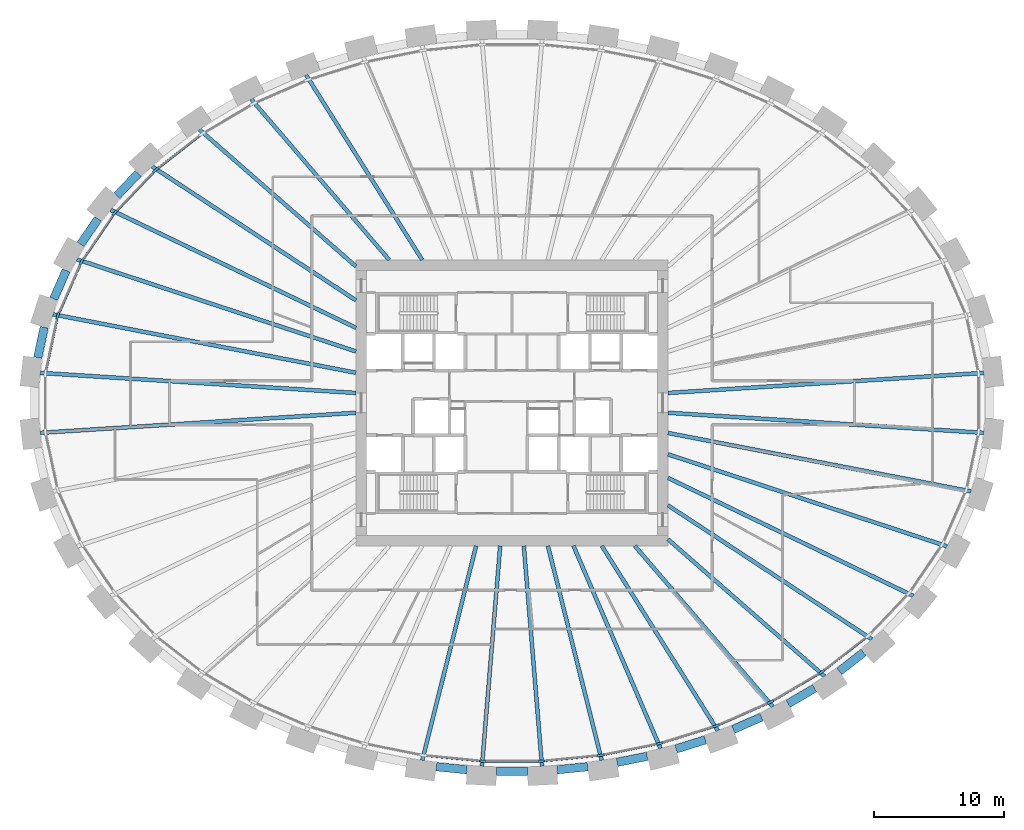
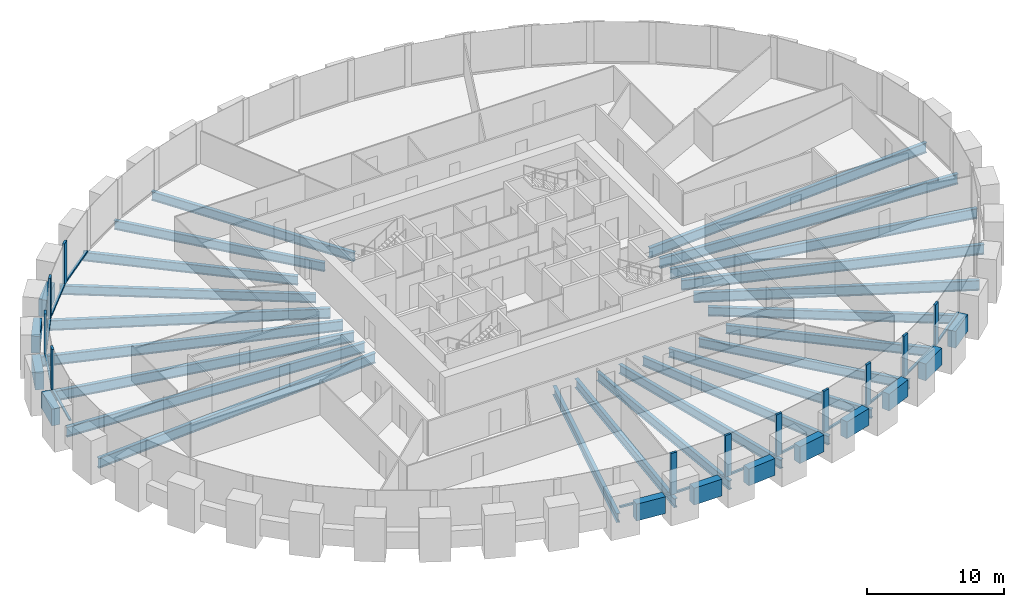
# One storey, part 2 of 10: 35 beams, 24 members, 1 element without a shape of its own.
"""IFC4 building model written with IfcOpenShell, lengths in metres."""

from ifc_helpers import new_model, si_unit, direction, frame, origin, origin_2d, place, context, subcontext, project, spatial, rectangle, i_section, extrude, source, transform, mapped, material, material_profile, profile_set, type_object, element, aggregate, save


model = new_model("IFC4")

# Units and contexts
model_context = context("Model", 3, precision=1e-05, world=origin(), true_north=direction((0.0, 1.0)))
body_context = subcontext(model_context, "Body", "Model", "MODEL_VIEW")
ifc_project = project(units=[si_unit("LENGTHUNIT", "METRE"), si_unit("AREAUNIT", "SQUARE_METRE"), si_unit("VOLUMEUNIT", "CUBIC_METRE"), si_unit("PLANEANGLEUNIT", "RADIAN"), si_unit("MASSUNIT", "GRAM", prefix="KILO")], contexts=[model_context])

# Site, building, storey
site_placement = place(None, origin())
site = spatial("IfcSite", under=ifc_project, at=site_placement, CompositionType="ELEMENT")
building_placement = place(site_placement, origin())
building = spatial("IfcBuilding", under=site, at=building_placement, Name="Embergate Tower", CompositionType="ELEMENT")
storey_placement = place(building_placement, frame((0.0, 0.0, 179.39990234375)))
storey = spatial("IfcBuildingStorey", under=building, at=storey_placement, Name="L40", CompositionType="ELEMENT", Elevation=179.39990234375)

# Beams
ifc_material_1 = material(Name="Concrete C70", Category="concrete")
ifc_material_profile_1 = material_profile(ifc_material_1, rectangle(XDim=0.64990234375, YDim=1.5, at=origin_2d()), Name="RC 650x1500")
ifc_profile_set_1 = profile_set([ifc_material_profile_1], Name="Concrete C70")
beam_type_1 = type_object("IfcBeamType", Name="Spandrel beam RC 650x1500 C70", PredefinedType="BEAM", material=ifc_profile_set_1)
shared_shape_1 = source(origin(), body_context, "Body", "SweptSolid", [
    extrude(rectangle(XDim=0.64990234375, YDim=1.5, at=origin_2d()), origin(), (0.0, 0.0, 1.0), 2.390625),
])
beam_1_placement = place(storey_placement, frame((-35.986083984375, 5.821044921875, 0.0), z_axis=(-0.210372893439, -0.977621217909, 0.0), x_axis=(0.977621217909, -0.210372893439, 0.0)))
element("IfcBeam", 1, at=beam_1_placement, inside=storey, type_object=beam_type_1, Name="SPN-L40-20", PredefinedType="BEAM", context=body_context, shape_type="MappedRepresentation", body=[
    mapped(shared_shape_1, transform((0.0, 0.0, 0.0))),
])
shared_shape_2 = source(origin(), body_context, "Body", "SweptSolid", [
    extrude(rectangle(XDim=0.64990234375, YDim=1.5, at=origin_2d()), origin(), (0.0, 0.0, 1.0), 2.383544921875),
])
beam_2_placement = place(storey_placement, frame((-34.302001953125, 10.18603515625, 0.0), z_axis=(-0.401495719711, -0.915860899402, 0.0), x_axis=(0.915860899402, -0.401495719711, 0.0)))
element("IfcBeam", 2, at=beam_2_placement, inside=storey, type_object=beam_type_1, Name="SPN-L40-19", PredefinedType="BEAM", context=body_context, shape_type="MappedRepresentation", body=[
    mapped(shared_shape_2, transform((0.0, 0.0, 0.0))),
])
shared_shape_3 = source(origin(), body_context, "Body", "SweptSolid", [
    extrude(rectangle(XDim=0.64990234375, YDim=1.5, at=origin_2d()), origin(), (0.0, 0.0, 1.0), 2.37744140625),
])
beam_3_placement = place(storey_placement, frame((-31.85107421875, 14.1650390625, 0.0), z_axis=(-0.562307212713, -0.826928411975, 0.0), x_axis=(0.826928411975, -0.562307212713, 0.0)))
element("IfcBeam", 3, at=beam_3_placement, inside=storey, type_object=beam_type_1, Name="SPN-L40-18", PredefinedType="BEAM", context=body_context, shape_type="MappedRepresentation", body=[
    mapped(shared_shape_3, transform((0.0, 0.0, 0.0))),
])
shared_shape_4 = source(origin(), body_context, "Body", "SweptSolid", [
    extrude(rectangle(XDim=0.64990234375, YDim=1.5, at=origin_2d()), origin(), (0.0, 0.0, 1.0), 2.370361328125),
])
beam_4_placement = place(storey_placement, frame((-28.7548828125, 17.656982421875, 0.0), z_axis=(-0.690277300847, -0.723544917704, 0.0), x_axis=(0.723544917704, -0.690277300847, 0.0)))
element("IfcBeam", 4, at=beam_4_placement, inside=storey, type_object=beam_type_1, Name="SPN-L40-17", PredefinedType="BEAM", context=body_context, shape_type="MappedRepresentation", body=[
    mapped(shared_shape_4, transform((0.0, 0.0, 0.0))),
])
shared_shape_5 = source(origin(), body_context, "Body", "SweptSolid", [
    extrude(rectangle(XDim=0.64990234375, YDim=1.5, at=origin_2d()), origin(), (0.0, 0.0, 1.0), 2.367431640625),
])
beam_5_placement = place(storey_placement, frame((25.18408203125, -20.657958984375, 0.0), z_axis=(0.788179129097, 0.615445903761, 0.0), x_axis=(-0.615445903761, 0.788179129097, 0.0)))
element("IfcBeam", 5, at=beam_5_placement, inside=storey, type_object=beam_type_1, Name="SPN-L40-38", PredefinedType="BEAM", context=body_context, shape_type="MappedRepresentation", body=[
    mapped(shared_shape_5, transform((0.0, 0.0, 0.0))),
])
shared_shape_6 = source(origin(), body_context, "Body", "SweptSolid", [
    extrude(rectangle(XDim=0.64990234375, YDim=1.5, at=origin_2d()), origin(), (0.0, 0.0, 1.0), 2.36181640625),
])
beam_6_placement = place(storey_placement, frame((21.24609375, -23.14794921875, 0.0), z_axis=(0.86203783714, 0.506843927989, 0.0), x_axis=(-0.506843927989, 0.86203783714, 0.0)))
element("IfcBeam", 6, at=beam_6_placement, inside=storey, type_object=beam_type_1, Name="SPN-L40-37", PredefinedType="BEAM", context=body_context, shape_type="MappedRepresentation", body=[
    mapped(shared_shape_6, transform((0.0, 0.0, 0.0))),
])
shared_shape_7 = source(origin(), body_context, "Body", "SweptSolid", [
    extrude(rectangle(XDim=0.64990234375, YDim=1.5, at=origin_2d()), origin(), (0.0, 0.0, 1.0), 2.357177734375),
])
beam_7_placement = place(storey_placement, frame((17.028076171875, -25.118896484375, 0.0), z_axis=(0.916330780136, 0.400422153951, 0.0), x_axis=(-0.400422153951, 0.916330780136, 0.0)))
element("IfcBeam", 7, at=beam_7_placement, inside=storey, type_object=beam_type_1, Name="SPN-L40-36", PredefinedType="BEAM", context=body_context, shape_type="MappedRepresentation", body=[
    mapped(shared_shape_7, transform((0.0, 0.0, 0.0))),
])
shared_shape_8 = source(origin(), body_context, "Body", "SweptSolid", [
    extrude(rectangle(XDim=0.64990234375, YDim=1.5, at=origin_2d()), origin(), (0.0, 0.0, 1.0), 2.354736328125),
])
beam_8_placement = place(storey_placement, frame((12.625, -26.6240234375, 0.0), z_axis=(0.954671641149, 0.2976609776, 0.0), x_axis=(-0.2976609776, 0.954671641149, 0.0)))
element("IfcBeam", 8, at=beam_8_placement, inside=storey, type_object=beam_type_1, Name="SPN-L40-35", PredefinedType="BEAM", context=body_context, shape_type="MappedRepresentation", body=[
    mapped(shared_shape_8, transform((0.0, 0.0, 0.0))),
])
shared_shape_9 = source(origin(), body_context, "Body", "SweptSolid", [
    extrude(rectangle(XDim=0.64990234375, YDim=1.5, at=origin_2d()), origin(), (0.0, 0.0, 1.0), 2.35302734375),
])
beam_9_placement = place(storey_placement, frame((8.089111328125, -27.655029296875, 0.0), z_axis=(0.980436743633, 0.196834427206, 0.0), x_axis=(-0.196834427206, 0.980436743633, 0.0)))
element("IfcBeam", 9, at=beam_9_placement, inside=storey, type_object=beam_type_1, Name="SPN-L40-34", PredefinedType="BEAM", context=body_context, shape_type="MappedRepresentation", body=[
    mapped(shared_shape_9, transform((0.0, 0.0, 0.0))),
])
shared_shape_10 = source(origin(), body_context, "Body", "SweptSolid", [
    extrude(rectangle(XDim=0.64990234375, YDim=1.5, at=origin_2d()), origin(), (0.0, 0.0, 1.0), 2.352294921875),
])
for number, where, z_axis, x_axis, name in (
    (10, (-5.81396484375, -27.993896484375, 0.0), (0.995199233924, -0.097869733819, 0.0), (0.097869733819, 0.995199233924, 0.0), "SPN-L40-31"),
    (11, (3.472900390625, -28.22412109375, 0.0), (0.995199233924, 0.097869733819, 0.0), (-0.097869733819, 0.995199233924, 0.0), "SPN-L40-33"),
):
    element("IfcBeam", number, at=place(storey_placement, frame(where, z_axis=z_axis, x_axis=x_axis)), inside=storey, type_object=beam_type_1, Name=name, PredefinedType="BEAM", context=body_context, shape_type="MappedRepresentation", body=[
        mapped(shared_shape_10, transform((0.0, 0.0, 0.0))),
    ])
shared_shape_11 = source(origin(), body_context, "Body", "SweptSolid", [
    extrude(rectangle(XDim=0.64990234375, YDim=1.5, at=origin_2d()), origin(), (0.0, 0.0, 1.0), 2.35205078125),
])
beam_10_placement = place(storey_placement, frame((-1.176025390625, -28.3369140625, 0.0), z_axis=(1.0, 0.0, 0.0), x_axis=(0.0, 1.0, 0.0)))
element("IfcBeam", 12, at=beam_10_placement, inside=storey, type_object=beam_type_1, Name="SPN-L40-32", PredefinedType="BEAM", context=body_context, shape_type="MappedRepresentation", body=[
    mapped(shared_shape_11, transform((0.0, 0.0, 0.0))),
])
ifc_material_2 = material(Name="Steel Q355B", Category="steel")
ifc_material_profile_2 = material_profile(ifc_material_2, i_section(OverallWidth=0.300048828125, OverallDepth=0.89990234375, WebThickness=0.01611328125, FlangeThickness=0.028076171875, FilletRadius=0.028076171875, at=origin_2d()), Name="HN 900x300x16x28")
ifc_profile_set_2 = profile_set([ifc_material_profile_2], Name="Steel Q355 grade B")
beam_type_2 = type_object("IfcBeamType", Name="Radial girder HN 900x300x16x28", PredefinedType="BEAM", material=ifc_profile_set_2)
shared_shape_12 = source(origin(), body_context, "Body", "SweptSolid", [
    extrude(i_section(OverallWidth=0.300048828125, OverallDepth=0.89990234375, WebThickness=0.01611328125, FlangeThickness=0.028076171875, FilletRadius=0.028076171875, at=origin_2d()), origin(), (0.0, 0.0, 1.0), 24.336181640625),
])
for number, where, z_axis, x_axis, name in (
    (13, (36.287109375, 2.305908203125, -0.64990234375), (-0.997985495245, -0.063442503739, 0.0), (0.063442503739, -0.997985495245, 0.0), "GIR-L40-00"),
    (14, (-36.287109375, 2.305908203125, -0.64990234375), (0.997985495245, -0.063442503739, 0.0), (0.063442503739, 0.997985495245, 0.0), "GIR-L40-21"),
    (15, (-36.287109375, -2.305908203125, -0.64990234375), (0.997985495245, 0.063442503739, 0.0), (-0.063442503739, 0.997985495245, 0.0), "GIR-L40-22"),
    (16, (36.287109375, -2.305908203125, -0.64990234375), (-0.997985495245, 0.063442503739, 0.0), (-0.063442503739, -0.997985495245, 0.0), "GIR-L40-43"),
):
    element("IfcBeam", number, at=place(storey_placement, frame(where, z_axis=z_axis, x_axis=x_axis)), inside=storey, type_object=beam_type_2, Name=name, PredefinedType="BEAM", context=body_context, shape_type="MappedRepresentation", body=[
        mapped(shared_shape_12, transform((0.0, 0.0, 0.0))),
    ])
shared_shape_13 = source(origin(), body_context, "Body", "SweptSolid", [
    extrude(i_section(OverallWidth=0.300048828125, OverallDepth=0.89990234375, WebThickness=0.01611328125, FlangeThickness=0.028076171875, FilletRadius=0.028076171875, at=origin_2d()), origin(), (0.0, 0.0, 1.0), 23.747802734375),
])
for number, where, z_axis, x_axis, name in (
    (17, (-35.318115234375, 6.81201171875, -0.64990234375), (0.981906216614, -0.189367847787, 0.0), (0.189367847787, 0.981906216614, 0.0), "GIR-L40-20"),
    (18, (35.318115234375, -6.81201171875, -0.64990234375), (-0.981906216614, 0.189367847787, 0.0), (-0.189367847787, -0.981906216614, 0.0), "GIR-L40-42"),
):
    element("IfcBeam", number, at=place(storey_placement, frame(where, z_axis=z_axis, x_axis=x_axis)), inside=storey, type_object=beam_type_2, Name=name, PredefinedType="BEAM", context=body_context, shape_type="MappedRepresentation", body=[
        mapped(shared_shape_13, transform((0.0, 0.0, 0.0))),
    ])
shared_shape_14 = source(origin(), body_context, "Body", "SweptSolid", [
    extrude(i_section(OverallWidth=0.300048828125, OverallDepth=0.89990234375, WebThickness=0.01611328125, FlangeThickness=0.028076171875, FilletRadius=0.028076171875, at=origin_2d()), origin(), (0.0, 0.0, 1.0), 22.602294921875),
])
for number, where, z_axis, x_axis, name in (
    (19, (-33.465087890625, 11.035888671875, -0.64990234375), (0.949689481284, -0.313193054103, 0.0), (0.313193054103, 0.949689481284, 0.0), "GIR-L40-19"),
    (20, (33.465087890625, -11.035888671875, -0.64990234375), (-0.949689481284, 0.313193054103, 0.0), (-0.313193054103, -0.949689481284, 0.0), "GIR-L40-41"),
):
    element("IfcBeam", number, at=place(storey_placement, frame(where, z_axis=z_axis, x_axis=x_axis)), inside=storey, type_object=beam_type_2, Name=name, PredefinedType="BEAM", context=body_context, shape_type="MappedRepresentation", body=[
        mapped(shared_shape_14, transform((0.0, 0.0, 0.0))),
    ])
shared_shape_15 = source(origin(), body_context, "Body", "SweptSolid", [
    extrude(i_section(OverallWidth=0.300048828125, OverallDepth=0.89990234375, WebThickness=0.01611328125, FlangeThickness=0.028076171875, FilletRadius=0.028076171875, at=origin_2d()), origin(), (0.0, 0.0, 1.0), 20.941162109375),
])
for number, where, z_axis, x_axis, name in (
    (21, (-30.87109375, 14.85107421875, -0.64990234375), (0.901150138625, -0.433507125267, 0.0), (0.433507125267, 0.901150138625, 0.0), "GIR-L40-18"),
    (22, (30.87109375, -14.85107421875, -0.64990234375), (-0.901150138625, 0.433507125267, 0.0), (-0.433507125267, -0.901150138625, 0.0), "GIR-L40-40"),
):
    element("IfcBeam", number, at=place(storey_placement, frame(where, z_axis=z_axis, x_axis=x_axis)), inside=storey, type_object=beam_type_2, Name=name, PredefinedType="BEAM", context=body_context, shape_type="MappedRepresentation", body=[
        mapped(shared_shape_15, transform((0.0, 0.0, 0.0))),
    ])
ifc_material_profile_3 = material_profile(ifc_material_2, i_section(OverallWidth=0.300048828125, OverallDepth=0.800048828125, WebThickness=0.013916015625, FlangeThickness=0.02587890625, FilletRadius=0.028076171875, at=origin_2d()), Name="HN 800x300x14x26")
ifc_profile_set_3 = profile_set([ifc_material_profile_3], Name="Steel Q355 grade B")
beam_type_3 = type_object("IfcBeamType", Name="Radial girder HN 800x300x14x26", PredefinedType="BEAM", material=ifc_profile_set_3)
shared_shape_16 = source(origin(), body_context, "Body", "SweptSolid", [
    extrude(i_section(OverallWidth=0.300048828125, OverallDepth=0.800048828125, WebThickness=0.013916015625, FlangeThickness=0.02587890625, FilletRadius=0.028076171875, at=origin_2d()), origin(), (0.0, 0.0, 1.0), 18.76953125),
])
for number, where, z_axis, x_axis, name in (
    (23, (-27.68701171875, 18.18994140625, -0.599853515625), (0.835771481667, -0.549077435734, 0.0), (0.549077435734, 0.835771481667, 0.0), "GIR-L40-17"),
    (24, (27.68701171875, -18.18994140625, -0.599853515625), (-0.835771481667, 0.549077435734, 0.0), (-0.549077435734, -0.835771481667, 0.0), "GIR-L40-39"),
):
    element("IfcBeam", number, at=place(storey_placement, frame(where, z_axis=z_axis, x_axis=x_axis)), inside=storey, type_object=beam_type_3, Name=name, PredefinedType="BEAM", context=body_context, shape_type="MappedRepresentation", body=[
        mapped(shared_shape_16, transform((0.0, 0.0, 0.0))),
    ])
shared_shape_17 = source(origin(), body_context, "Body", "SweptSolid", [
    extrude(i_section(OverallWidth=0.300048828125, OverallDepth=0.800048828125, WebThickness=0.013916015625, FlangeThickness=0.02587890625, FilletRadius=0.028076171875, at=origin_2d()), origin(), (0.0, 0.0, 1.0), 16.005859375),
])
for number, where, z_axis, x_axis, name in (
    (25, (-24.048095703125, 21.031005859375, -0.599853515625), (0.752730691054, -0.658328570506, 0.0), (0.658328570506, 0.752730691054, 0.0), "GIR-L40-16"),
    (26, (24.048095703125, -21.031005859375, -0.599853515625), (-0.752730691054, 0.658328570506, 0.0), (-0.658328570506, -0.752730691054, 0.0), "GIR-L40-38"),
):
    element("IfcBeam", number, at=place(storey_placement, frame(where, z_axis=z_axis, x_axis=x_axis)), inside=storey, type_object=beam_type_3, Name=name, PredefinedType="BEAM", context=body_context, shape_type="MappedRepresentation", body=[
        mapped(shared_shape_17, transform((0.0, 0.0, 0.0))),
    ])
shared_shape_18 = source(origin(), body_context, "Body", "SweptSolid", [
    extrude(i_section(OverallWidth=0.300048828125, OverallDepth=0.800048828125, WebThickness=0.013916015625, FlangeThickness=0.02587890625, FilletRadius=0.028076171875, at=origin_2d()), origin(), (0.0, 0.0, 1.0), 16.305419921875),
])
for number, where, z_axis, x_axis, name in (
    (27, (-20.069091796875, 23.3701171875, -0.599853515625), (0.651501333184, -0.758647489193, 0.0), (0.758647489193, 0.651501333184, 0.0), "GIR-L40-15"),
    (28, (20.069091796875, -23.3701171875, -0.599853515625), (-0.651501333184, 0.758647489193, 0.0), (-0.758647489193, -0.651501333184, 0.0), "GIR-L40-37"),
):
    element("IfcBeam", number, at=place(storey_placement, frame(where, z_axis=z_axis, x_axis=x_axis)), inside=storey, type_object=beam_type_3, Name=name, PredefinedType="BEAM", context=body_context, shape_type="MappedRepresentation", body=[
        mapped(shared_shape_18, transform((0.0, 0.0, 0.0))),
    ])
shared_shape_19 = source(origin(), body_context, "Body", "SweptSolid", [
    extrude(i_section(OverallWidth=0.300048828125, OverallDepth=0.800048828125, WebThickness=0.013916015625, FlangeThickness=0.02587890625, FilletRadius=0.028076171875, at=origin_2d()), origin(), (0.0, 0.0, 1.0), 16.79052734375),
])
for number, where, z_axis, x_axis, name in (
    (29, (-15.837890625, 25.218994140625, -0.599853515625), (0.531841858708, -0.8468436912, 0.0), (0.8468436912, 0.531841858708, 0.0), "GIR-L40-14"),
    (30, (15.837890625, -25.218994140625, -0.599853515625), (-0.531841858708, 0.8468436912, 0.0), (-0.8468436912, -0.531841858708, 0.0), "GIR-L40-36"),
):
    element("IfcBeam", number, at=place(storey_placement, frame(where, z_axis=z_axis, x_axis=x_axis)), inside=storey, type_object=beam_type_3, Name=name, PredefinedType="BEAM", context=body_context, shape_type="MappedRepresentation", body=[
        mapped(shared_shape_19, transform((0.0, 0.0, 0.0))),
    ])
shared_shape_20 = source(origin(), body_context, "Body", "SweptSolid", [
    extrude(i_section(OverallWidth=0.300048828125, OverallDepth=0.800048828125, WebThickness=0.013916015625, FlangeThickness=0.02587890625, FilletRadius=0.028076171875, at=origin_2d()), origin(), (0.0, 0.0, 1.0), 16.971435546875),
])
beam_11_placement = place(storey_placement, frame((11.429931640625, -26.592041015625, -0.599853515625), z_axis=(-0.394894806524, 0.918726342161, 0.0), x_axis=(-0.918726342161, -0.394894806524, 0.0)))
element("IfcBeam", 31, at=beam_11_placement, inside=storey, type_object=beam_type_3, Name="GIR-L40-35", PredefinedType="BEAM", context=body_context, shape_type="MappedRepresentation", body=[
    mapped(shared_shape_20, transform((0.0, 0.0, 0.0))),
])
shared_shape_21 = source(origin(), body_context, "Body", "SweptSolid", [
    extrude(i_section(OverallWidth=0.300048828125, OverallDepth=0.800048828125, WebThickness=0.013916015625, FlangeThickness=0.02587890625, FilletRadius=0.028076171875, at=origin_2d()), origin(), (0.0, 0.0, 1.0), 17.011962890625),
])
for number, where, z_axis, x_axis, name in (
    (32, (-6.903076171875, -27.5, -0.599853515625), (0.243480994992, 0.969905668134, 0.0), (-0.969905668134, 0.243480994992, 0.0), "GIR-L40-31"),
    (33, (6.903076171875, -27.5, -0.599853515625), (-0.243480994992, 0.969905668134, 0.0), (-0.969905668134, -0.243480994992, 0.0), "GIR-L40-34"),
):
    element("IfcBeam", number, at=place(storey_placement, frame(where, z_axis=z_axis, x_axis=x_axis)), inside=storey, type_object=beam_type_3, Name=name, PredefinedType="BEAM", context=body_context, shape_type="MappedRepresentation", body=[
        mapped(shared_shape_21, transform((0.0, 0.0, 0.0))),
    ])
shared_shape_22 = source(origin(), body_context, "Body", "SweptSolid", [
    extrude(i_section(OverallWidth=0.300048828125, OverallDepth=0.800048828125, WebThickness=0.013916015625, FlangeThickness=0.02587890625, FilletRadius=0.028076171875, at=origin_2d()), origin(), (0.0, 0.0, 1.0), 17.009521484375),
])
for number, where, z_axis, x_axis, name in (
    (34, (-2.30908203125, -27.951904296875, -0.599853515625), (0.082314935073, 0.996606367361, 0.0), (-0.996606367361, 0.082314935073, 0.0), "GIR-L40-32"),
    (35, (2.30908203125, -27.951904296875, -0.599853515625), (-0.082314935073, 0.996606367361, 0.0), (-0.996606367361, -0.082314935073, 0.0), "GIR-L40-33"),
):
    element("IfcBeam", number, at=place(storey_placement, frame(where, z_axis=z_axis, x_axis=x_axis)), inside=storey, type_object=beam_type_3, Name=name, PredefinedType="BEAM", context=body_context, shape_type="MappedRepresentation", body=[
        mapped(shared_shape_22, transform((0.0, 0.0, 0.0))),
    ])

# Curtain wall, members
ifc_material_3 = material(Name="Aluminium and glass", Category="aluminium")
curtain_wall_type = type_object("IfcCurtainWallType", Name="Recessed office glazing", PredefinedType="NOTDEFINED", material=ifc_material_3)
curtain_wall_placement = place(storey_placement, origin())
curtain_wall = element("IfcCurtainWall", 36, at=curtain_wall_placement, inside=storey, type_object=curtain_wall_type, Name="Recessed office glazing ring", ObjectType="RECESSED OFFICE GLAZING", PredefinedType="USERDEFINED")
ifc_material_4 = material(Name="Aluminium, thermally broken", Category="aluminium")
ifc_material_profile_4 = material_profile(ifc_material_4, rectangle(XDim=0.179931640625, YDim=0.52001953125, at=origin_2d()), Name="AL 520x180")
ifc_profile_set_4 = profile_set([ifc_material_profile_4], Name="Aluminium, thermally broken")
member_type_1 = type_object("IfcMemberType", Name="Office mullion", PredefinedType="MULLION", material=ifc_profile_set_4)
shared_shape_23 = source(origin(), body_context, "Body", "SweptSolid", [
    extrude(rectangle(XDim=0.179931640625, YDim=0.52001953125, at=origin_2d()), origin(), (0.0, 0.0, 1.0), 3.7001953125),
])
member_1_placement = place(storey_placement, frame((-27.425537109375, 17.900634765625, 0.0), z_axis=(0.0, 0.0, 1.0), x_axis=(0.671221359023, -0.741256964346, 0.0)))
member_1 = element("IfcMember", 37, at=member_1_placement, type_object=member_type_1, Name="CW mullion 18", PredefinedType="MULLION", context=body_context, shape_type="MappedRepresentation", body=[
    mapped(shared_shape_23, transform((0.0, 0.0, 0.0))),
])
member_2_placement = place(storey_placement, frame((-30.568359375, 14.60498046875, 0.0), z_axis=(0.0, 0.0, 1.0), x_axis=(0.777867080309, -0.62842883875, 0.0)))
member_2 = element("IfcMember", 38, at=member_2_placement, type_object=member_type_1, Name="CW mullion 19", PredefinedType="MULLION", context=body_context, shape_type="MappedRepresentation", body=[
    mapped(shared_shape_23, transform((0.0, 0.0, 0.0))),
])
member_3_placement = place(storey_placement, frame((-33.12451171875, 10.84619140625, 0.0), z_axis=(0.0, 0.0, 1.0), x_axis=(0.874998516019, -0.484125600402, 0.0)))
member_3 = element("IfcMember", 39, at=member_3_placement, type_object=member_type_1, Name="CW mullion 20", PredefinedType="MULLION", context=body_context, shape_type="MappedRepresentation", body=[
    mapped(shared_shape_23, transform((0.0, 0.0, 0.0))),
])
member_4_placement = place(storey_placement, frame((-34.94677734375, 6.691650390625, 0.0), z_axis=(0.0, 0.0, 1.0), x_axis=(0.951496187099, -0.307660536853, 0.0)))
member_4 = element("IfcMember", 40, at=member_4_placement, type_object=member_type_1, Name="CW mullion 21", PredefinedType="MULLION", context=body_context, shape_type="MappedRepresentation", body=[
    mapped(shared_shape_23, transform((0.0, 0.0, 0.0))),
])
member_5_placement = place(storey_placement, frame((-2.28955078125, -27.56201171875, 0.0), z_axis=(0.0, 0.0, 1.0), x_axis=(0.048970053385, 0.998800247232, 0.0)))
member_5 = element("IfcMember", 41, at=member_5_placement, type_object=member_type_1, Name="CW mullion 33", PredefinedType="MULLION", context=body_context, shape_type="MappedRepresentation", body=[
    mapped(shared_shape_23, transform((0.0, 0.0, 0.0))),
])
member_6_placement = place(storey_placement, frame((2.28955078125, -27.56201171875, 0.0), z_axis=(0.0, 0.0, 1.0), x_axis=(-0.048970053385, 0.998800247232, 0.0)))
member_6 = element("IfcMember", 42, at=member_6_placement, type_object=member_type_1, Name="CW mullion 34", PredefinedType="MULLION", context=body_context, shape_type="MappedRepresentation", body=[
    mapped(shared_shape_23, transform((0.0, 0.0, 0.0))),
])
member_7_placement = place(storey_placement, frame((6.846435546875, -27.1142578125, 0.0), z_axis=(0.0, 0.0, 1.0), x_axis=(-0.147408930294, 0.989075632735, 0.0)))
member_7 = element("IfcMember", 43, at=member_7_placement, type_object=member_type_1, Name="CW mullion 35", PredefinedType="MULLION", context=body_context, shape_type="MappedRepresentation", body=[
    mapped(shared_shape_23, transform((0.0, 0.0, 0.0))),
])
member_8_placement = place(storey_placement, frame((11.334716796875, -26.214111328125, 0.0), z_axis=(0.0, 0.0, 1.0), x_axis=(-0.247308499144, 0.96893679167, 0.0)))
member_8 = element("IfcMember", 44, at=member_8_placement, type_object=member_type_1, Name="CW mullion 36", PredefinedType="MULLION", context=body_context, shape_type="MappedRepresentation", body=[
    mapped(shared_shape_23, transform((0.0, 0.0, 0.0))),
])
member_9_placement = place(storey_placement, frame((15.702880859375, -24.853759765625, 0.0), z_axis=(0.0, 0.0, 1.0), x_axis=(-0.349497777064, 0.936937193107, 0.0)))
member_9 = element("IfcMember", 45, at=member_9_placement, type_object=member_type_1, Name="CW mullion 37", PredefinedType="MULLION", context=body_context, shape_type="MappedRepresentation", body=[
    mapped(shared_shape_23, transform((0.0, 0.0, 0.0))),
])
member_10_placement = place(storey_placement, frame((19.89208984375, -23.02197265625, 0.0), z_axis=(0.0, 0.0, 1.0), x_axis=(-0.45450516197, 0.8907441034, 0.0)))
member_10 = element("IfcMember", 46, at=member_10_placement, type_object=member_type_1, Name="CW mullion 38", PredefinedType="MULLION", context=body_context, shape_type="MappedRepresentation", body=[
    mapped(shared_shape_23, transform((0.0, 0.0, 0.0))),
])
member_11_placement = place(storey_placement, frame((23.82958984375, -20.70703125, 0.0), z_axis=(0.0, 0.0, 1.0), x_axis=(-0.562210401679, 0.82699423471, 0.0)))
member_11 = element("IfcMember", 47, at=member_11_placement, type_object=member_type_1, Name="CW mullion 39", PredefinedType="MULLION", context=body_context, shape_type="MappedRepresentation", body=[
    mapped(shared_shape_23, transform((0.0, 0.0, 0.0))),
])
ifc_material_profile_5 = material_profile(ifc_material_4, rectangle(XDim=0.179931640625, YDim=0.14990234375, at=origin_2d()), Name="AL 150x180")
ifc_profile_set_5 = profile_set([ifc_material_profile_5], Name="Aluminium, thermally broken")
member_type_2 = type_object("IfcMemberType", Name="Office sill transom", PredefinedType="USERDEFINED", material=ifc_profile_set_5)
shared_shape_24 = source(origin(), body_context, "Body", "SweptSolid", [
    extrude(rectangle(XDim=0.179931640625, YDim=0.14990234375, at=origin_2d()), origin(), (0.0, 0.0, 1.0), 4.009765625),
])
member_12_placement = place(storey_placement, frame((-35.00146484375, 6.4375, 0.0751953125), z_axis=(-0.210368972531, -0.977622061635, 0.0), x_axis=(0.977622061635, -0.210368972531, 0.0)))
member_12 = element("IfcMember", 48, at=member_12_placement, type_object=member_type_2, Name="CW transom 21.1", ObjectType="TRANSOM", PredefinedType="USERDEFINED", context=body_context, shape_type="MappedRepresentation", body=[
    mapped(shared_shape_24, transform((0.0, 0.0, 0.0))),
])
shared_shape_25 = source(origin(), body_context, "Body", "SweptSolid", [
    extrude(rectangle(XDim=0.179931640625, YDim=0.14990234375, at=origin_2d()), origin(), (0.0, 0.0, 1.0), 4.0166015625),
])
member_13_placement = place(storey_placement, frame((-33.22900390625, 10.608154296875, 0.0751953125), z_axis=(-0.401644503167, -0.915795661202, 0.0), x_axis=(0.915795661202, -0.401644503167, 0.0)))
member_13 = element("IfcMember", 49, at=member_13_placement, type_object=member_type_2, Name="CW transom 20.1", ObjectType="TRANSOM", PredefinedType="USERDEFINED", context=body_context, shape_type="MappedRepresentation", body=[
    mapped(shared_shape_25, transform((0.0, 0.0, 0.0))),
])
shared_shape_26 = source(origin(), body_context, "Body", "SweptSolid", [
    extrude(rectangle(XDim=0.179931640625, YDim=0.14990234375, at=origin_2d()), origin(), (0.0, 0.0, 1.0), 4.025390625),
])
member_14_placement = place(storey_placement, frame((-30.714599609375, 14.389892578125, 0.0751953125), z_axis=(-0.562346517012, -0.826901683881, 0.0), x_axis=(0.826901683881, -0.562346517012, 0.0)))
member_14 = element("IfcMember", 50, at=member_14_placement, type_object=member_type_2, Name="CW transom 19.1", ObjectType="TRANSOM", PredefinedType="USERDEFINED", context=body_context, shape_type="MappedRepresentation", body=[
    mapped(shared_shape_26, transform((0.0, 0.0, 0.0))),
])
shared_shape_27 = source(origin(), body_context, "Body", "SweptSolid", [
    extrude(rectangle(XDim=0.179931640625, YDim=0.14990234375, at=origin_2d()), origin(), (0.0, 0.0, 1.0), 4.033935546875),
])
member_15_placement = place(storey_placement, frame((-27.60498046875, 17.71240234375, 0.0751953125), z_axis=(-0.690112930661, -0.723701694716, 0.0), x_axis=(0.723701694716, -0.690112930661, 0.0)))
member_15 = element("IfcMember", 51, at=member_15_placement, type_object=member_type_2, Name="CW transom 18.1", ObjectType="TRANSOM", PredefinedType="USERDEFINED", context=body_context, shape_type="MappedRepresentation", body=[
    mapped(shared_shape_27, transform((0.0, 0.0, 0.0))),
])
shared_shape_28 = source(origin(), body_context, "Body", "SweptSolid", [
    extrude(rectangle(XDim=0.179931640625, YDim=0.14990234375, at=origin_2d()), origin(), (0.0, 0.0, 1.0), 4.04150390625),
])
member_16_placement = place(storey_placement, frame((-24.034423828125, 20.547119140625, 0.0751953125), z_axis=(-0.788326502743, -0.615257121107, 0.0), x_axis=(0.615257121107, -0.788326502743, 0.0)))
member_16 = element("IfcMember", 52, at=member_16_placement, type_object=member_type_2, Name="CW transom 17.1", ObjectType="TRANSOM", PredefinedType="USERDEFINED", context=body_context, shape_type="MappedRepresentation", body=[
    mapped(shared_shape_28, transform((0.0, 0.0, 0.0))),
])
member_17_placement = place(storey_placement, frame((24.034423828125, -20.547119140625, 0.0751953125), z_axis=(0.788326502743, 0.615257121107, 0.0), x_axis=(-0.615257121107, 0.788326502743, 0.0)))
member_17 = element("IfcMember", 53, at=member_17_placement, type_object=member_type_2, Name="CW transom 39.1", ObjectType="TRANSOM", PredefinedType="USERDEFINED", context=body_context, shape_type="MappedRepresentation", body=[
    mapped(shared_shape_28, transform((0.0, 0.0, 0.0))),
])
shared_shape_29 = source(origin(), body_context, "Body", "SweptSolid", [
    extrude(rectangle(XDim=0.179931640625, YDim=0.14990234375, at=origin_2d()), origin(), (0.0, 0.0, 1.0), 4.047607421875),
])
member_18_placement = place(storey_placement, frame((20.1162109375, -22.89013671875, 0.0751953125), z_axis=(0.862067536609, 0.50679341188, 0.0), x_axis=(-0.50679341188, 0.862067536609, 0.0)))
member_18 = element("IfcMember", 54, at=member_18_placement, type_object=member_type_2, Name="CW transom 38.1", ObjectType="TRANSOM", PredefinedType="USERDEFINED", context=body_context, shape_type="MappedRepresentation", body=[
    mapped(shared_shape_29, transform((0.0, 0.0, 0.0))),
])
shared_shape_30 = source(origin(), body_context, "Body", "SweptSolid", [
    extrude(rectangle(XDim=0.179931640625, YDim=0.14990234375, at=origin_2d()), origin(), (0.0, 0.0, 1.0), 4.052001953125),
])
member_19_placement = place(storey_placement, frame((15.941162109375, -24.74951171875, 0.0751953125), z_axis=(0.91624719551, 0.400613375613, 0.0), x_axis=(-0.400613375613, 0.91624719551, 0.0)))
member_19 = element("IfcMember", 55, at=member_19_placement, type_object=member_type_2, Name="CW transom 37.1", ObjectType="TRANSOM", PredefinedType="USERDEFINED", context=body_context, shape_type="MappedRepresentation", body=[
    mapped(shared_shape_30, transform((0.0, 0.0, 0.0))),
])
shared_shape_31 = source(origin(), body_context, "Body", "SweptSolid", [
    extrude(rectangle(XDim=0.179931640625, YDim=0.14990234375, at=origin_2d()), origin(), (0.0, 0.0, 1.0), 4.055419921875),
])
member_20_placement = place(storey_placement, frame((11.582763671875, -26.13671875, 0.0751953125), z_axis=(0.954775154278, 0.297328782281, 0.0), x_axis=(-0.297328782281, 0.954775154278, 0.0)))
member_20 = element("IfcMember", 56, at=member_20_placement, type_object=member_type_2, Name="CW transom 36.1", ObjectType="TRANSOM", PredefinedType="USERDEFINED", context=body_context, shape_type="MappedRepresentation", body=[
    mapped(shared_shape_31, transform((0.0, 0.0, 0.0))),
])
shared_shape_32 = source(origin(), body_context, "Body", "SweptSolid", [
    extrude(rectangle(XDim=0.179931640625, YDim=0.14990234375, at=origin_2d()), origin(), (0.0, 0.0, 1.0), 4.057373046875),
])
member_21_placement = place(storey_placement, frame((7.101318359375, -27.06298828125, 0.0751953125), z_axis=(0.980476396391, 0.196636812728, 0.0), x_axis=(-0.196636812728, 0.980476396391, 0.0)))
member_21 = element("IfcMember", 57, at=member_21_placement, type_object=member_type_2, Name="CW transom 35.1", ObjectType="TRANSOM", PredefinedType="USERDEFINED", context=body_context, shape_type="MappedRepresentation", body=[
    mapped(shared_shape_32, transform((0.0, 0.0, 0.0))),
])
shared_shape_33 = source(origin(), body_context, "Body", "SweptSolid", [
    extrude(rectangle(XDim=0.179931640625, YDim=0.14990234375, at=origin_2d()), origin(), (0.0, 0.0, 1.0), 4.058837890625),
])
member_22_placement = place(storey_placement, frame((-6.587646484375, -27.1396484375, 0.0751953125), z_axis=(0.995205476783, -0.097806231807, 0.0), x_axis=(0.097806231807, 0.995205476783, 0.0)))
member_22 = element("IfcMember", 58, at=member_22_placement, type_object=member_type_2, Name="CW transom 32.1", ObjectType="TRANSOM", PredefinedType="USERDEFINED", context=body_context, shape_type="MappedRepresentation", body=[
    mapped(shared_shape_33, transform((0.0, 0.0, 0.0))),
])
member_23_placement = place(storey_placement, frame((2.54833984375, -27.53662109375, 0.0751953125), z_axis=(0.995205476783, 0.097806231807, 0.0), x_axis=(-0.097806231807, 0.995205476783, 0.0)))
member_23 = element("IfcMember", 59, at=member_23_placement, type_object=member_type_2, Name="CW transom 34.1", ObjectType="TRANSOM", PredefinedType="USERDEFINED", context=body_context, shape_type="MappedRepresentation", body=[
    mapped(shared_shape_33, transform((0.0, 0.0, 0.0))),
])
shared_shape_34 = source(origin(), body_context, "Body", "SweptSolid", [
    extrude(rectangle(XDim=0.179931640625, YDim=0.14990234375, at=origin_2d()), origin(), (0.0, 0.0, 1.0), 4.05908203125),
])
member_24_placement = place(storey_placement, frame((-2.029541015625, -27.56201171875, 0.0751953125), z_axis=(1.0, 0.0, 0.0), x_axis=(0.0, 1.0, 0.0)))
member_24 = element("IfcMember", 60, at=member_24_placement, type_object=member_type_2, Name="CW transom 33.1", ObjectType="TRANSOM", PredefinedType="USERDEFINED", context=body_context, shape_type="MappedRepresentation", body=[
    mapped(shared_shape_34, transform((0.0, 0.0, 0.0))),
])
aggregate(curtain_wall, [member_1, member_2, member_3, member_4, member_5, member_6, member_7, member_8, member_9, member_10, member_11, member_16, member_15, member_14, member_13, member_12, member_22, member_24, member_23, member_21, member_20, member_19, member_18, member_17])

save(model, "model.ifc")
